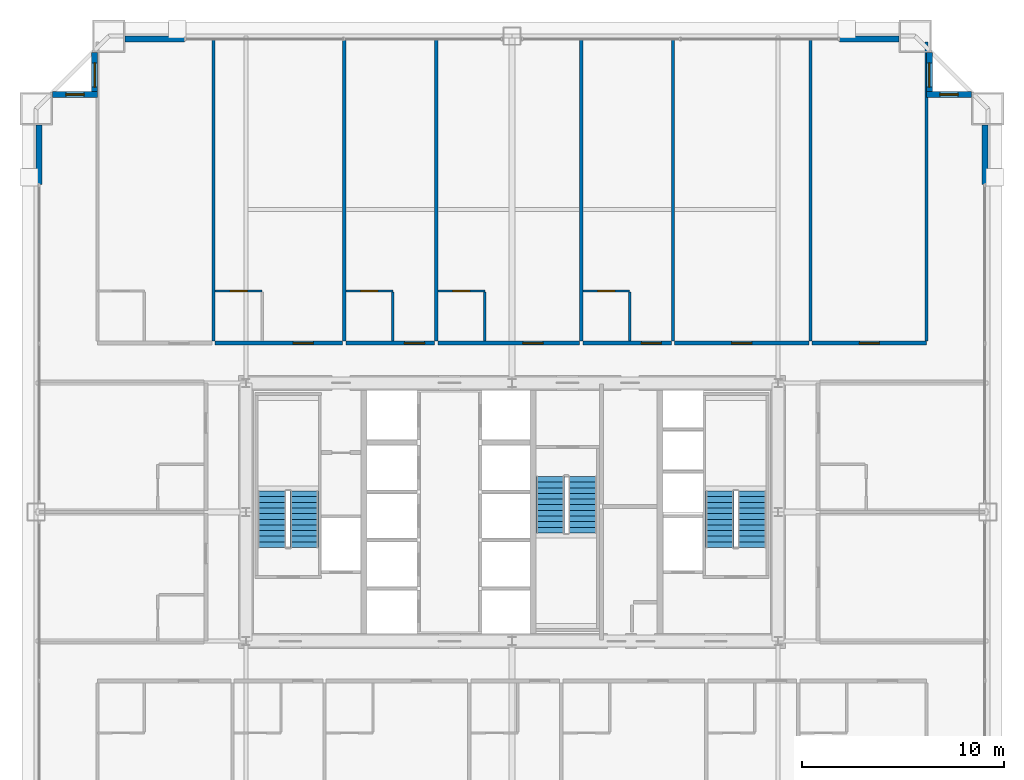
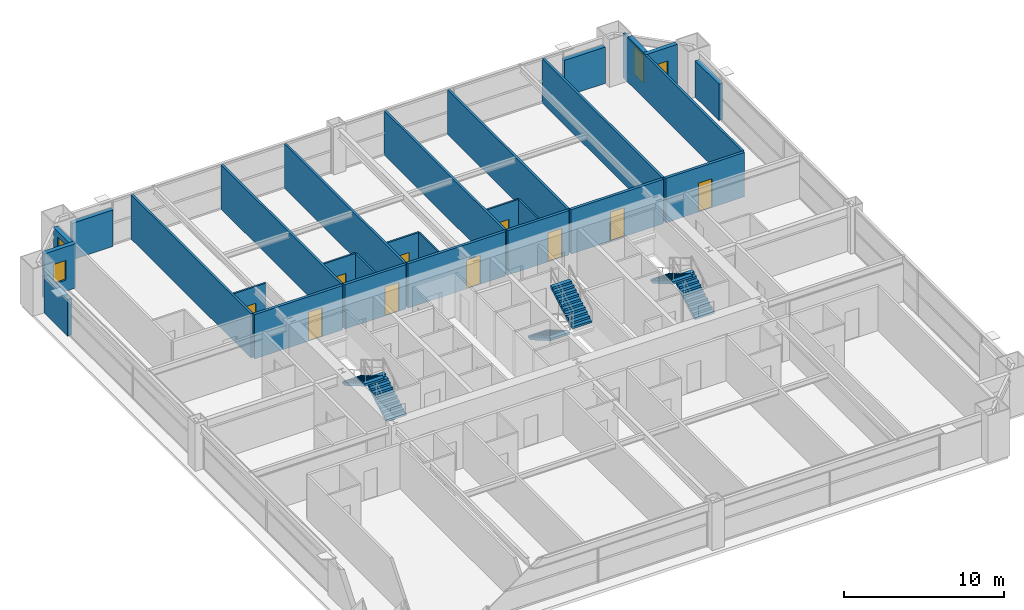
# One storey, part 37 of 38: 28 walls, 10 doors, 6 stair flights, 4 windows, 14 openings, 3 elements without a shape of their own.
"""IFC4 building model written with IfcOpenShell, lengths in metres."""

from ifc_helpers import new_model, si_unit, direction, frame, frame_2d, origin, place, context, subcontext, project, spatial, polyline, rectangle, outline, extrude, source, transform, mapped, material, layer, layer_set, type_object, element, fill, aggregate, save


model = new_model("IFC4")

# Units and contexts
model_context = context("Model", 3, precision=1e-05, world=origin(), true_north=direction((0.0, 1.0)))
body_context = subcontext(model_context, "Body", "Model", "MODEL_VIEW")
ifc_project = project(units=[si_unit("LENGTHUNIT", "METRE"), si_unit("AREAUNIT", "SQUARE_METRE"), si_unit("VOLUMEUNIT", "CUBIC_METRE"), si_unit("PLANEANGLEUNIT", "RADIAN"), si_unit("MASSUNIT", "GRAM", prefix="KILO"), si_unit("THERMODYNAMICTEMPERATUREUNIT", "KELVIN"), si_unit("POWERUNIT", "WATT")], contexts=[model_context])

# Site, building, storey
site_placement = place(None, origin())
site = spatial("IfcSite", under=ifc_project, at=site_placement, CompositionType="ELEMENT")
building_placement = place(site_placement, origin())
building = spatial("IfcBuilding", under=site, at=building_placement, Name="Yuzanri Waterfront Tower", CompositionType="ELEMENT")
storey_placement = place(building_placement, frame((0.0, 0.0, 90.199951171875)))
storey = spatial("IfcBuildingStorey", under=building, at=storey_placement, Name="L23", CompositionType="ELEMENT", Elevation=90.199951171875)

# Wall, opening, door
ifc_material_1 = material(Name="Moisture-Resistant Gypsum Stud Wall", Category="gypsum")
ifc_layer_1 = layer(ifc_material_1, 0.1201171875)
ifc_layer_set_1 = layer_set([ifc_layer_1], Name="Moisture-Resistant Gypsum Stud Wall")
wall_type_1 = type_object("IfcWallType", Name="Bathroom and Kitchen Wet Partition 120", PredefinedType="PARTITIONING", material=ifc_layer_set_1)
wall_1_placement = place(storey_placement, frame((22.277099609375, 36.760009765625, 0.0), z_axis=(0.0, 0.0, 1.0), x_axis=(1.0, 0.0, 0.0)))
wall_1 = element("IfcWall", 1, at=wall_1_placement, inside=storey, type_object=wall_type_1, Name="L23 Partition UW-L23-N2-BN", PredefinedType="PARTITIONING", context=body_context, shape_type="SweptSolid", body=[
    extrude(rectangle(XDim=2.329833984375, YDim=0.1201171875, at=frame_2d((1.1650390625, 0.0))), origin(), (0.0, 0.0, 1.0), 3.380126953125),
])
opening_1_placement = place(wall_1_placement, frame((0.739990234375, 0.0, 0.0)))
opening_1 = element("IfcOpeningElement", 2, at=opening_1_placement, cuts=wall_1, Name="Opening ID-0850", PredefinedType="OPENING", context=body_context, shape_type="SweptSolid", body=[
    extrude(rectangle(XDim=0.85009765625, YDim=2.10009765625, at=frame_2d((0.425048828125, 1.050048828125))), frame((0.0, 0.074951171875, 0.0), z_axis=(0.0, -1.0, 0.0), x_axis=(1.0, 0.0, 0.0)), (0.0, 0.0, 1.0), 0.14990234375),
])
ifc_material_2 = material(Name="Moisture-Resistant Lacquered Timber", Category="wood")
door_type_1 = type_object("IfcDoorType", Name="En-Suite Bathroom and Kitchen Swing Door 850x2100", OperationType="NOTDEFINED", PredefinedType="DOOR", material=ifc_material_2)
shared_shape_1 = source(origin(), body_context, "Body", "SweptSolid", [
    extrude(rectangle(XDim=0.85009765625, YDim=2.10009765625, at=frame_2d((0.425048828125, 1.050048828125))), frame((0.0, 0.02490234375, 0.0), z_axis=(0.0, -1.0, 0.0), x_axis=(1.0, 0.0, 0.0)), (0.0, 0.0, 1.0), 0.050048828125),
])
door_1_placement = place(opening_1_placement, origin())
door_1 = element("IfcDoor", 3, at=door_1_placement, inside=storey, type_object=door_type_1, Name="L23 Guest En-Suite Door", OperationType="SINGLE_SWING_LEFT", OverallHeight=2.10009765625, OverallWidth=0.85009765625, PredefinedType="DOOR", context=body_context, shape_type="MappedRepresentation", body=[
    mapped(shared_shape_1, transform((0.0, 0.0, 0.0), scale=1.0)),
])
fill(opening_1, door_1)

wall_2_placement = place(storey_placement, frame((28.761962890625, 36.760009765625, 0.0), z_axis=(0.0, 0.0, 1.0), x_axis=(1.0, 0.0, 0.0)))
wall_2 = element("IfcWall", 4, at=wall_2_placement, inside=storey, type_object=wall_type_1, Name="L23 Partition UW-L23-N3-BN", PredefinedType="PARTITIONING", context=body_context, shape_type="SweptSolid", body=[
    extrude(rectangle(XDim=2.328125, YDim=0.1201171875, at=frame_2d((1.1640625, 0.0))), origin(), (0.0, 0.0, 1.0), 3.380126953125),
])
opening_2_placement = place(wall_2_placement, frame((0.739013671875, 0.0, 0.0)))
opening_2 = element("IfcOpeningElement", 5, at=opening_2_placement, cuts=wall_2, Name="Opening ID-0850", PredefinedType="OPENING", context=body_context, shape_type="SweptSolid", body=[
    extrude(rectangle(XDim=0.85009765625, YDim=2.10009765625, at=frame_2d((0.425048828125, 1.050048828125))), frame((0.0, 0.074951171875, 0.0), z_axis=(0.0, -1.0, 0.0), x_axis=(1.0, 0.0, 0.0)), (0.0, 0.0, 1.0), 0.14990234375),
])
door_2_placement = place(opening_2_placement, origin())
door_2 = element("IfcDoor", 6, at=door_2_placement, inside=storey, type_object=door_type_1, Name="L23 Guest En-Suite Door", OperationType="SINGLE_SWING_LEFT", OverallHeight=2.10009765625, OverallWidth=0.85009765625, PredefinedType="DOOR", context=body_context, shape_type="MappedRepresentation", body=[
    mapped(shared_shape_1, transform((0.0, 0.0, 0.0), scale=1.0)),
])
fill(opening_2, door_2)

wall_3_placement = place(storey_placement, frame((33.320068359375, 36.760009765625, 0.0), z_axis=(0.0, 0.0, 1.0), x_axis=(1.0, 0.0, 0.0)))
wall_3 = element("IfcWall", 7, at=wall_3_placement, inside=storey, type_object=wall_type_1, Name="L23 Partition UW-L23-N4-BN", PredefinedType="PARTITIONING", context=body_context, shape_type="SweptSolid", body=[
    extrude(rectangle(XDim=2.329833984375, YDim=0.1201171875, at=frame_2d((1.1650390625, 0.0))), origin(), (0.0, 0.0, 1.0), 3.380126953125),
])
opening_3_placement = place(wall_3_placement, frame((0.739990234375, 0.0, 0.0)))
opening_3 = element("IfcOpeningElement", 8, at=opening_3_placement, cuts=wall_3, Name="Opening ID-0850", PredefinedType="OPENING", context=body_context, shape_type="SweptSolid", body=[
    extrude(rectangle(XDim=0.85009765625, YDim=2.10009765625, at=frame_2d((0.425048828125, 1.050048828125))), frame((0.0, 0.074951171875, 0.0), z_axis=(0.0, -1.0, 0.0), x_axis=(1.0, 0.0, 0.0)), (0.0, 0.0, 1.0), 0.14990234375),
])
door_3_placement = place(opening_3_placement, origin())
door_3 = element("IfcDoor", 9, at=door_3_placement, inside=storey, type_object=door_type_1, Name="L23 Guest En-Suite Door", OperationType="SINGLE_SWING_LEFT", OverallHeight=2.10009765625, OverallWidth=0.85009765625, PredefinedType="DOOR", context=body_context, shape_type="MappedRepresentation", body=[
    mapped(shared_shape_1, transform((0.0, 0.0, 0.0), scale=1.0)),
])
fill(opening_3, door_3)

wall_4_placement = place(storey_placement, frame((40.510986328125, 36.760009765625, 0.0), z_axis=(0.0, 0.0, 1.0), x_axis=(1.0, 0.0, 0.0)))
wall_4 = element("IfcWall", 10, at=wall_4_placement, inside=storey, type_object=wall_type_1, Name="L23 Partition UW-L23-N5-BN", PredefinedType="PARTITIONING", context=body_context, shape_type="SweptSolid", body=[
    extrude(rectangle(XDim=2.328125, YDim=0.1201171875, at=frame_2d((1.1640625, 0.0))), origin(), (0.0, 0.0, 1.0), 3.380126953125),
])
opening_4_placement = place(wall_4_placement, frame((0.739013671875, 0.0, 0.0)))
opening_4 = element("IfcOpeningElement", 11, at=opening_4_placement, cuts=wall_4, Name="Opening ID-0850", PredefinedType="OPENING", context=body_context, shape_type="SweptSolid", body=[
    extrude(rectangle(XDim=0.85009765625, YDim=2.10009765625, at=frame_2d((0.425048828125, 1.050048828125))), frame((0.0, 0.074951171875, 0.0), z_axis=(0.0, -1.0, 0.0), x_axis=(1.0, 0.0, 0.0)), (0.0, 0.0, 1.0), 0.14990234375),
])
door_4_placement = place(opening_4_placement, origin())
door_4 = element("IfcDoor", 12, at=door_4_placement, inside=storey, type_object=door_type_1, Name="L23 Guest En-Suite Door", OperationType="SINGLE_SWING_LEFT", OverallHeight=2.10009765625, OverallWidth=0.85009765625, PredefinedType="DOOR", context=body_context, shape_type="MappedRepresentation", body=[
    mapped(shared_shape_1, transform((0.0, 0.0, 0.0), scale=1.0)),
])
fill(opening_4, door_4)

# Wall, opening, window
ifc_material_3 = material(Name="Honed Chongqing Dark Basalt Stone", Category="masonry")
ifc_layer_2 = layer(ifc_material_3, 0.300048828125)
ifc_layer_set_2 = layer_set([ifc_layer_2], Name="Honed Chongqing Dark Basalt Stone")
wall_type_2 = type_object("IfcWallType", Name="Bronze Rainscreen Insulated Spandrel Portal Wall 300", PredefinedType="SOLIDWALL", material=ifc_layer_set_2)
wall_5_placement = place(storey_placement, frame((16.449951171875, 46.5, 0.0), z_axis=(0.0, 0.0, 1.0), x_axis=(-1.0, 0.0, 0.0)))
wall_5 = element("IfcWall", 13, at=wall_5_placement, inside=storey, type_object=wall_type_2, Name="L23 Notched Corner Masonry Wall NW-X", PredefinedType="SOLIDWALL", context=body_context, shape_type="SweptSolid", body=[
    extrude(rectangle(XDim=2.25, YDim=0.300048828125, at=frame_2d((1.125, 0.0))), origin(), (0.0, 0.0, 1.0), 3.380126953125),
])
opening_5_placement = place(wall_5_placement, frame((0.675048828125, 0.0, 0.85009765625)))
opening_5 = element("IfcOpeningElement", 14, at=opening_5_placement, cuts=wall_5, Name="Opening WN-05", PredefinedType="OPENING", context=body_context, shape_type="SweptSolid", body=[
    extrude(rectangle(XDim=0.89990234375, YDim=1.5, at=frame_2d((0.449951171875, 0.75))), frame((0.0, 0.1650390625, 0.0), z_axis=(0.0, -1.0, 0.0), x_axis=(1.0, 0.0, 0.0)), (0.0, 0.0, 1.0), 0.329833984375),
])
ifc_material_4 = material(Name="Double-Silver Low-E Insulated Glass", Category="glass")
window_type_1 = type_object("IfcWindowType", Name="Anodized Bronze Service and Stairwell Smoke-Vent Window 900x1500", PartitioningType="SINGLE_PANEL", PredefinedType="WINDOW", material=ifc_material_4)
shared_shape_2 = source(origin(), body_context, "Body", "SweptSolid", [
    extrude(rectangle(XDim=0.89990234375, YDim=1.5, at=frame_2d((0.449951171875, 0.75))), frame((0.0, 0.030029296875, 0.0), z_axis=(0.0, -1.0, 0.0), x_axis=(1.0, 0.0, 0.0)), (0.0, 0.0, 1.0), 0.06005859375),
])
window_1_placement = place(opening_5_placement, origin())
window_1 = element("IfcWindow", 15, at=window_1_placement, inside=storey, type_object=window_type_1, Name="L23 Notched Corner Window NW-X", OverallHeight=1.5, OverallWidth=0.89990234375, PartitioningType="SINGLE_PANEL", PredefinedType="WINDOW", context=body_context, shape_type="MappedRepresentation", body=[
    mapped(shared_shape_2, transform((0.0, 0.0, 0.0), scale=1.0)),
])
fill(opening_5, window_1)

wall_6_placement = place(storey_placement, frame((16.300048828125, 48.60009765625, 0.0), z_axis=(0.0, 0.0, 1.0), x_axis=(0.0, -1.0, 0.0)))
wall_6 = element("IfcWall", 16, at=wall_6_placement, inside=storey, type_object=wall_type_2, Name="L23 Notched Corner Masonry Wall NW-Y", PredefinedType="SOLIDWALL", context=body_context, shape_type="SweptSolid", body=[
    extrude(rectangle(XDim=2.25, YDim=0.300048828125, at=frame_2d((1.125, 0.0))), origin(), (0.0, 0.0, 1.0), 3.380126953125),
])
opening_6_placement = place(wall_6_placement, frame((0.52490234375, 0.0, 0.85009765625)))
opening_6 = element("IfcOpeningElement", 17, at=opening_6_placement, cuts=wall_6, Name="Opening WN-02", PredefinedType="OPENING", context=body_context, shape_type="SweptSolid", body=[
    extrude(rectangle(XDim=1.199951171875, YDim=2.10009765625, at=frame_2d((0.60009765625, 1.050048828125))), frame((0.0, 0.1650390625, 0.0), z_axis=(0.0, -1.0, 0.0), x_axis=(1.0, 0.0, 0.0)), (0.0, 0.0, 1.0), 0.329833984375),
])
ifc_material_5 = material(Name="Double-Silver Low-E Insulated Glass", Category="glass")
window_type_2 = type_object("IfcWindowType", Name="Anodized Bronze Notched Corner Deep-Set Slot Window 1200x2100", PartitioningType="SINGLE_PANEL", PredefinedType="WINDOW", material=ifc_material_5)
shared_shape_3 = source(origin(), body_context, "Body", "SweptSolid", [
    extrude(rectangle(XDim=1.199951171875, YDim=2.10009765625, at=frame_2d((0.60009765625, 1.050048828125))), frame((0.0, 0.030029296875, 0.0), z_axis=(0.0, -1.0, 0.0), x_axis=(1.0, 0.0, 0.0)), (0.0, 0.0, 1.0), 0.06005859375),
])
window_2_placement = place(opening_6_placement, origin())
window_2 = element("IfcWindow", 18, at=window_2_placement, inside=storey, type_object=window_type_2, Name="L23 Notched Corner Window NW-Y", OverallHeight=2.10009765625, OverallWidth=1.199951171875, PartitioningType="SINGLE_PANEL", PredefinedType="WINDOW", context=body_context, shape_type="MappedRepresentation", body=[
    mapped(shared_shape_3, transform((0.0, 0.0, 0.0), scale=1.0)),
])
fill(opening_6, window_2)

wall_7_placement = place(storey_placement, frame((59.800048828125, 46.5, 0.0), z_axis=(0.0, 0.0, 1.0), x_axis=(-1.0, 0.0, 0.0)))
wall_7 = element("IfcWall", 19, at=wall_7_placement, inside=storey, type_object=wall_type_2, Name="L23 Notched Corner Masonry Wall NE-X", PredefinedType="SOLIDWALL", context=body_context, shape_type="SweptSolid", body=[
    extrude(rectangle(XDim=2.25, YDim=0.300048828125, at=frame_2d((1.125, 0.0))), origin(), (0.0, 0.0, 1.0), 3.380126953125),
])
opening_7_placement = place(wall_7_placement, frame((0.675048828125, 0.0, 0.85009765625)))
opening_7 = element("IfcOpeningElement", 20, at=opening_7_placement, cuts=wall_7, Name="Opening WN-05", PredefinedType="OPENING", context=body_context, shape_type="SweptSolid", body=[
    extrude(rectangle(XDim=0.89990234375, YDim=1.5, at=frame_2d((0.449951171875, 0.75))), frame((0.0, 0.1650390625, 0.0), z_axis=(0.0, -1.0, 0.0), x_axis=(1.0, 0.0, 0.0)), (0.0, 0.0, 1.0), 0.329833984375),
])
window_3_placement = place(opening_7_placement, origin())
window_3 = element("IfcWindow", 21, at=window_3_placement, inside=storey, type_object=window_type_1, Name="L23 Notched Corner Window NE-X", OverallHeight=1.5, OverallWidth=0.89990234375, PartitioningType="SINGLE_PANEL", PredefinedType="WINDOW", context=body_context, shape_type="MappedRepresentation", body=[
    mapped(shared_shape_2, transform((0.0, 0.0, 0.0), scale=1.0)),
])
fill(opening_7, window_3)

wall_8_placement = place(storey_placement, frame((57.699951171875, 46.35009765625, 0.0), z_axis=(0.0, 0.0, 1.0), x_axis=(0.0, 1.0, 0.0)))
wall_8 = element("IfcWall", 22, at=wall_8_placement, inside=storey, type_object=wall_type_2, Name="L23 Notched Corner Masonry Wall NE-Y", PredefinedType="SOLIDWALL", context=body_context, shape_type="SweptSolid", body=[
    extrude(rectangle(XDim=2.25, YDim=0.300048828125, at=frame_2d((1.125, 0.0))), origin(), (0.0, 0.0, 1.0), 3.380126953125),
])
opening_8_placement = place(wall_8_placement, frame((0.52490234375, 0.0, 0.85009765625)))
opening_8 = element("IfcOpeningElement", 23, at=opening_8_placement, cuts=wall_8, Name="Opening WN-02", PredefinedType="OPENING", context=body_context, shape_type="SweptSolid", body=[
    extrude(rectangle(XDim=1.199951171875, YDim=2.10009765625, at=frame_2d((0.60009765625, 1.050048828125))), frame((0.0, 0.1650390625, 0.0), z_axis=(0.0, -1.0, 0.0), x_axis=(1.0, 0.0, 0.0)), (0.0, 0.0, 1.0), 0.329833984375),
])
window_4_placement = place(opening_8_placement, origin())
window_4 = element("IfcWindow", 24, at=window_4_placement, inside=storey, type_object=window_type_2, Name="L23 Notched Corner Window NE-Y", OverallHeight=2.10009765625, OverallWidth=1.199951171875, PartitioningType="SINGLE_PANEL", PredefinedType="WINDOW", context=body_context, shape_type="MappedRepresentation", body=[
    mapped(shared_shape_3, transform((0.0, 0.0, 0.0), scale=1.0)),
])
fill(opening_8, window_4)

# Wall, opening, door
ifc_material_6 = material(Name="Autoclaved Aerated Concrete Blockwork", Category="masonry")
ifc_layer_3 = layer(ifc_material_6, 0.199951171875)
ifc_layer_set_3 = layer_set([ifc_layer_3], Name="Autoclaved Aerated Concrete Blockwork")
wall_type_3 = type_object("IfcWallType", Name="Corridor and Unit Party Fire Wall 200", PredefinedType="PARTITIONING", material=ifc_layer_set_3)
wall_9_placement = place(storey_placement, frame((22.277099609375, 34.179931640625, 0.0), z_axis=(0.0, 0.0, 1.0), x_axis=(1.0, 0.0, 0.0)))
wall_9 = element("IfcWall", 25, at=wall_9_placement, inside=storey, type_object=wall_type_3, Name="L23 Partition UW-L23-N2-CS", PredefinedType="PARTITIONING", context=body_context, shape_type="SweptSolid", body=[
    extrude(rectangle(XDim=6.324951171875, YDim=0.199951171875, at=frame_2d((3.16259765625, 0.0))), origin(), (0.0, 0.0, 1.0), 3.380126953125),
])
opening_9_placement = place(wall_9_placement, frame((3.867919921875, 0.0, 0.0)))
opening_9 = element("IfcOpeningElement", 26, at=opening_9_placement, cuts=wall_9, Name="Opening FD-1000", PredefinedType="OPENING", context=body_context, shape_type="SweptSolid", body=[
    extrude(rectangle(XDim=1.0, YDim=2.199951171875, at=frame_2d((0.5, 1.10009765625))), frame((0.0, 0.11474609375, 0.0), z_axis=(0.0, -1.0, 0.0), x_axis=(1.0, 0.0, 0.0)), (0.0, 0.0, 1.0), 0.229736328125),
])
ifc_material_7 = material(Name="Engineered Oak Fire-Rated Timber", Category="wood")
door_type_2 = type_object("IfcDoorType", Name="Guestroom and Apartment Entrance Fire Door 1000x2200", OperationType="NOTDEFINED", PredefinedType="DOOR", material=ifc_material_7)
shared_shape_4 = source(origin(), body_context, "Body", "SweptSolid", [
    extrude(rectangle(XDim=1.0, YDim=2.199951171875, at=frame_2d((0.5, 1.10009765625))), frame((0.0, 0.02490234375, 0.0), z_axis=(0.0, -1.0, 0.0), x_axis=(1.0, 0.0, 0.0)), (0.0, 0.0, 1.0), 0.050048828125),
])
door_5_placement = place(opening_9_placement, origin())
door_5 = element("IfcDoor", 27, at=door_5_placement, inside=storey, type_object=door_type_2, Name="L23 Deluxe Queen Junior Suite Entrance Door", OperationType="SINGLE_SWING_RIGHT", OverallHeight=2.199951171875, OverallWidth=1.0, PredefinedType="DOOR", context=body_context, shape_type="MappedRepresentation", body=[
    mapped(shared_shape_4, transform((0.0, 0.0, 0.0), scale=1.0)),
])
fill(opening_9, door_5)

wall_10_placement = place(storey_placement, frame((28.761962890625, 34.179931640625, 0.0), z_axis=(0.0, 0.0, 1.0), x_axis=(1.0, 0.0, 0.0)))
wall_10 = element("IfcWall", 28, at=wall_10_placement, inside=storey, type_object=wall_type_3, Name="L23 Partition UW-L23-N3-CS", PredefinedType="PARTITIONING", context=body_context, shape_type="SweptSolid", body=[
    extrude(rectangle(XDim=4.39794921875, YDim=0.199951171875, at=frame_2d((2.198974609375, 0.0))), origin(), (0.0, 0.0, 1.0), 3.380126953125),
])
opening_10_placement = place(wall_10_placement, frame((2.903076171875, 0.0, 0.0)))
opening_10 = element("IfcOpeningElement", 29, at=opening_10_placement, cuts=wall_10, Name="Opening FD-1000", PredefinedType="OPENING", context=body_context, shape_type="SweptSolid", body=[
    extrude(rectangle(XDim=1.0, YDim=2.199951171875, at=frame_2d((0.5, 1.10009765625))), frame((0.0, 0.11474609375, 0.0), z_axis=(0.0, -1.0, 0.0), x_axis=(1.0, 0.0, 0.0)), (0.0, 0.0, 1.0), 0.229736328125),
])
door_6_placement = place(opening_10_placement, origin())
door_6 = element("IfcDoor", 30, at=door_6_placement, inside=storey, type_object=door_type_2, Name="L23 Deluxe Queen Guest Room Entrance Door", OperationType="SINGLE_SWING_RIGHT", OverallHeight=2.199951171875, OverallWidth=1.0, PredefinedType="DOOR", context=body_context, shape_type="MappedRepresentation", body=[
    mapped(shared_shape_4, transform((0.0, 0.0, 0.0), scale=1.0)),
])
fill(opening_10, door_6)

wall_11_placement = place(storey_placement, frame((33.320068359375, 34.179931640625, 0.0), z_axis=(0.0, 0.0, 1.0), x_axis=(1.0, 0.0, 0.0)))
wall_11 = element("IfcWall", 31, at=wall_11_placement, inside=storey, type_object=wall_type_3, Name="L23 Partition UW-L23-N4-CS", PredefinedType="PARTITIONING", context=body_context, shape_type="SweptSolid", body=[
    extrude(rectangle(XDim=7.031005859375, YDim=0.199951171875, at=frame_2d((3.515625, 0.0))), origin(), (0.0, 0.0, 1.0), 3.380126953125),
])
opening_11_placement = place(wall_11_placement, frame((4.219970703125, 0.0, 0.0)))
opening_11 = element("IfcOpeningElement", 32, at=opening_11_placement, cuts=wall_11, Name="Opening FD-1000", PredefinedType="OPENING", context=body_context, shape_type="SweptSolid", body=[
    extrude(rectangle(XDim=1.0, YDim=2.199951171875, at=frame_2d((0.5, 1.10009765625))), frame((0.0, 0.11474609375, 0.0), z_axis=(0.0, -1.0, 0.0), x_axis=(1.0, 0.0, 0.0)), (0.0, 0.0, 1.0), 0.229736328125),
])
door_7_placement = place(opening_11_placement, origin())
door_7 = element("IfcDoor", 33, at=door_7_placement, inside=storey, type_object=door_type_2, Name="L23 Deluxe Queen Junior Suite Entrance Door", OperationType="SINGLE_SWING_RIGHT", OverallHeight=2.199951171875, OverallWidth=1.0, PredefinedType="DOOR", context=body_context, shape_type="MappedRepresentation", body=[
    mapped(shared_shape_4, transform((0.0, 0.0, 0.0), scale=1.0)),
])
fill(opening_11, door_7)

wall_12_placement = place(storey_placement, frame((40.510986328125, 34.179931640625, 0.0), z_axis=(0.0, 0.0, 1.0), x_axis=(1.0, 0.0, 0.0)))
wall_12 = element("IfcWall", 34, at=wall_12_placement, inside=storey, type_object=wall_type_3, Name="L23 Partition UW-L23-N5-CS", PredefinedType="PARTITIONING", context=body_context, shape_type="SweptSolid", body=[
    extrude(rectangle(XDim=4.39794921875, YDim=0.199951171875, at=frame_2d((2.198974609375, 0.0))), origin(), (0.0, 0.0, 1.0), 3.380126953125),
])
opening_12_placement = place(wall_12_placement, frame((2.903076171875, 0.0, 0.0)))
opening_12 = element("IfcOpeningElement", 35, at=opening_12_placement, cuts=wall_12, Name="Opening FD-1000", PredefinedType="OPENING", context=body_context, shape_type="SweptSolid", body=[
    extrude(rectangle(XDim=1.0, YDim=2.199951171875, at=frame_2d((0.5, 1.10009765625))), frame((0.0, 0.11474609375, 0.0), z_axis=(0.0, -1.0, 0.0), x_axis=(1.0, 0.0, 0.0)), (0.0, 0.0, 1.0), 0.229736328125),
])
door_8_placement = place(opening_12_placement, origin())
door_8 = element("IfcDoor", 36, at=door_8_placement, inside=storey, type_object=door_type_2, Name="L23 Deluxe Queen Guest Room Entrance Door", OperationType="SINGLE_SWING_RIGHT", OverallHeight=2.199951171875, OverallWidth=1.0, PredefinedType="DOOR", context=body_context, shape_type="MappedRepresentation", body=[
    mapped(shared_shape_4, transform((0.0, 0.0, 0.0), scale=1.0)),
])
fill(opening_12, door_8)

wall_13_placement = place(storey_placement, frame((45.069091796875, 34.179931640625, 0.0), z_axis=(0.0, 0.0, 1.0), x_axis=(1.0, 0.0, 0.0)))
wall_13 = element("IfcWall", 37, at=wall_13_placement, inside=storey, type_object=wall_type_3, Name="L23 Partition UW-L23-N6-CS", PredefinedType="PARTITIONING", context=body_context, shape_type="SweptSolid", body=[
    extrude(rectangle(XDim=6.65380859375, YDim=0.199951171875, at=frame_2d((3.326904296875, 0.0))), origin(), (0.0, 0.0, 1.0), 3.380126953125),
])
opening_13_placement = place(wall_13_placement, frame((2.826904296875, 0.0, 0.0)))
opening_13 = element("IfcOpeningElement", 38, at=opening_13_placement, cuts=wall_13, Name="Opening FD-1000", PredefinedType="OPENING", context=body_context, shape_type="SweptSolid", body=[
    extrude(rectangle(XDim=1.0, YDim=2.199951171875, at=frame_2d((0.5, 1.10009765625))), frame((0.0, 0.11474609375, 0.0), z_axis=(0.0, -1.0, 0.0), x_axis=(1.0, 0.0, 0.0)), (0.0, 0.0, 1.0), 0.229736328125),
])
door_9_placement = place(opening_13_placement, origin())
door_9 = element("IfcDoor", 39, at=door_9_placement, inside=storey, type_object=door_type_2, Name="L23 Business Office 1 Entrance Door", OperationType="SINGLE_SWING_RIGHT", OverallHeight=2.199951171875, OverallWidth=1.0, PredefinedType="DOOR", context=body_context, shape_type="MappedRepresentation", body=[
    mapped(shared_shape_4, transform((0.0, 0.0, 0.0), scale=1.0)),
])
fill(opening_13, door_9)

wall_14_placement = place(storey_placement, frame((51.883056640625, 34.179931640625, 0.0), z_axis=(0.0, 0.0, 1.0), x_axis=(1.0, 0.0, 0.0)))
wall_14 = element("IfcWall", 40, at=wall_14_placement, inside=storey, type_object=wall_type_3, Name="L23 Partition UW-L23-N7-CS", PredefinedType="PARTITIONING", context=body_context, shape_type="SweptSolid", body=[
    extrude(rectangle(XDim=5.677001953125, YDim=0.199951171875, at=frame_2d((2.83837890625, 0.0))), origin(), (0.0, 0.0, 1.0), 3.380126953125),
])
opening_14_placement = place(wall_14_placement, frame((2.339111328125, 0.0, 0.0)))
opening_14 = element("IfcOpeningElement", 41, at=opening_14_placement, cuts=wall_14, Name="Opening FD-1000", PredefinedType="OPENING", context=body_context, shape_type="SweptSolid", body=[
    extrude(rectangle(XDim=1.0, YDim=2.199951171875, at=frame_2d((0.5, 1.10009765625))), frame((0.0, 0.11474609375, 0.0), z_axis=(0.0, -1.0, 0.0), x_axis=(1.0, 0.0, 0.0)), (0.0, 0.0, 1.0), 0.229736328125),
])
door_10_placement = place(opening_14_placement, origin())
door_10 = element("IfcDoor", 42, at=door_10_placement, inside=storey, type_object=door_type_2, Name="L23 Business Office 2 Entrance Door", OperationType="SINGLE_SWING_LEFT", OverallHeight=2.199951171875, OverallWidth=1.0, PredefinedType="DOOR", context=body_context, shape_type="MappedRepresentation", body=[
    mapped(shared_shape_4, transform((0.0, 0.0, 0.0), scale=1.0)),
])
fill(opening_14, door_10)

# Walls
shared_shape_5 = source(origin(), body_context, "Body", "SweptSolid", [
    extrude(rectangle(XDim=2.949951171875, YDim=0.300048828125, at=frame_2d((1.47509765625, 0.0))), origin(), (0.0, 0.0, 1.0), 2.775146484375),
])
for number, where, z_axis, x_axis, name in (
    (43, (17.800048828125, 49.25, 0.0), (0.0, 0.0, 1.0), (1.0, 0.0, 0.0), "L23 N Left Braced Masonry Shoulder"),
    (44, (53.25, 49.25, 0.0), (0.0, 0.0, 1.0), (1.0, 0.0, 0.0), "L23 N Right Braced Masonry Shoulder"),
    (45, (13.550048828125, 42.050048828125, 0.0), (0.0, 0.0, 1.0), (0.0, 1.0, 0.0), "L23 W Right Braced Masonry Shoulder"),
    (46, (60.449951171875, 42.050048828125, 0.0), (0.0, 0.0, 1.0), (0.0, 1.0, 0.0), "L23 E Right Braced Masonry Shoulder"),
):
    element("IfcWall", number, at=place(storey_placement, frame(where, z_axis=z_axis, x_axis=x_axis)), inside=storey, type_object=wall_type_2, Name=name, PredefinedType="SOLIDWALL", context=body_context, shape_type="MappedRepresentation", body=[
        mapped(shared_shape_5, transform((0.0, 0.0, 0.0), scale=1.0)),
    ])
shared_shape_6 = source(origin(), body_context, "Body", "SweptSolid", [
    extrude(rectangle(XDim=2.419921875, YDim=0.1201171875, at=frame_2d((1.2099609375, 0.0))), origin(), (0.0, 0.0, 1.0), 3.380126953125),
])
for number, where, z_axis, x_axis, name in (
    (47, (31.090087890625, 34.280029296875, 0.0), (0.0, 0.0, 1.0), (0.0, 1.0, 0.0), "L23-N3 En-Suite Side Wall"),
    (48, (35.64990234375, 34.280029296875, 0.0), (0.0, 0.0, 1.0), (0.0, 1.0, 0.0), "L23-N4 En-Suite Side Wall"),
    (49, (42.839111328125, 34.280029296875, 0.0), (0.0, 0.0, 1.0), (0.0, 1.0, 0.0), "L23-N5 En-Suite Side Wall"),
):
    element("IfcWall", number, at=place(storey_placement, frame(where, z_axis=z_axis, x_axis=x_axis)), inside=storey, type_object=wall_type_1, Name=name, PredefinedType="PARTITIONING", context=body_context, shape_type="MappedRepresentation", body=[
        mapped(shared_shape_6, transform((0.0, 0.0, 0.0), scale=1.0)),
    ])
ifc_material_8 = material(Name="Gypsum Fireboard Acoustic Stud Wall", Category="gypsum")
ifc_layer_4 = layer(ifc_material_8, 0.159912109375)
ifc_layer_set_4 = layer_set([ifc_layer_4], Name="Gypsum Fireboard Acoustic Stud Wall")
wall_type_4 = type_object("IfcWallType", Name="Acoustic Suite Demising Partition 160", PredefinedType="PARTITIONING", material=ifc_layer_set_4)
shared_shape_7 = source(origin(), body_context, "Body", "SweptSolid", [
    extrude(rectangle(XDim=14.969970703125, YDim=0.159912109375, at=frame_2d((7.48486328125, 0.0))), origin(), (0.0, 0.0, 1.0), 3.380126953125),
])
for number, where, z_axis, x_axis, name in (
    (50, (22.197021484375, 34.280029296875, 0.0), (0.0, 0.0, 1.0), (0.0, 1.0, 0.0), "L23-N1 Party Wall"),
    (51, (28.681884765625, 34.280029296875, 0.0), (0.0, 0.0, 1.0), (0.0, 1.0, 0.0), "L23-N2 Party Wall"),
    (52, (33.239990234375, 34.280029296875, 0.0), (0.0, 0.0, 1.0), (0.0, 1.0, 0.0), "L23-N3 Party Wall"),
    (53, (40.430908203125, 34.280029296875, 0.0), (0.0, 0.0, 1.0), (0.0, 1.0, 0.0), "L23-N4 Party Wall"),
    (54, (44.989013671875, 34.280029296875, 0.0), (0.0, 0.0, 1.0), (0.0, 1.0, 0.0), "L23-N5 Party Wall"),
    (55, (51.802978515625, 34.280029296875, 0.0), (0.0, 0.0, 1.0), (0.0, 1.0, 0.0), "L23-N6 Party Wall"),
):
    element("IfcWall", number, at=place(storey_placement, frame(where, z_axis=z_axis, x_axis=x_axis)), inside=storey, type_object=wall_type_4, Name=name, PredefinedType="PARTITIONING", context=body_context, shape_type="MappedRepresentation", body=[
        mapped(shared_shape_7, transform((0.0, 0.0, 0.0), scale=1.0)),
    ])
shared_shape_8 = source(origin(), body_context, "Body", "SweptSolid", [
    extrude(rectangle(XDim=14.820068359375, YDim=0.159912109375, at=frame_2d((7.41015625, 0.0))), origin(), (0.0, 0.0, 1.0), 3.380126953125),
])
wall_15_placement = place(storey_placement, frame((57.550048828125, 34.280029296875, 0.0), z_axis=(0.0, 0.0, 1.0), x_axis=(0.0, 1.0, 0.0)))
element("IfcWall", 56, at=wall_15_placement, inside=storey, type_object=wall_type_4, Name="L23 North Band East End Wall", PredefinedType="PARTITIONING", context=body_context, shape_type="MappedRepresentation", body=[
    mapped(shared_shape_8, transform((0.0, 0.0, 0.0), scale=1.0)),
])

# Stair, stair flights
ifc_material_9 = material(Name="Concrete C40", Category="concrete")
stair_type = type_object("IfcStairType", Name="Concrete C40 Core Dogleg Exit Stair", PredefinedType="HALF_TURN_STAIR", material=ifc_material_9)
stair_1_placement = place(storey_placement, origin())
stair_1 = element("IfcStair", 57, at=stair_1_placement, inside=storey, type_object=stair_type, Name="L23 Smoke-Proof Core Stair ST-01", PredefinedType="HALF_TURN_STAIR")
ifc_material_10 = material(Name="Concrete C40", Category="concrete")
stair_flight_type = type_object("IfcStairFlightType", Name="Concrete C40 Precast Stair Flight 1380", PredefinedType="STRAIGHT", material=ifc_material_10)
shared_shape_9 = source(origin(), body_context, "Body", "SweptSolid", [
    extrude(outline(polyline([(0.0, 0.0), (0.0, 0.16357421875), (0.280029296875, 0.16357421875), (0.280029296875, 0.327392578125), (0.56005859375, 0.327392578125), (0.56005859375, 0.490966796875), (0.840087890625, 0.490966796875), (0.840087890625, 0.654541015625), (1.1201171875, 0.654541015625), (1.1201171875, 0.818115234375), (1.39990234375, 0.818115234375), (1.39990234375, 0.98193359375), (1.679931640625, 0.98193359375), (1.679931640625, 1.1455078125), (1.9599609375, 1.1455078125), (1.9599609375, 1.30908203125), (2.239990234375, 1.30908203125), (2.239990234375, 1.47265625), (2.52001953125, 1.47265625), (2.52001953125, 1.636474609375), (2.800048828125, 1.636474609375), (2.800048828125, 1.800048828125), (2.800048828125, 1.462646484375), (0.297119140625, 0.0), (0.0, 0.0)])), frame((0.0, 0.699951171875, 0.0), z_axis=(0.0, -1.0, 0.0), x_axis=(1.0, 0.0, 0.0)), (0.0, 0.0, 1.0), 1.39990234375),
])
stair_flight_1_placement = place(storey_placement, frame((26.699951171875, 24.0400390625, 0.0), z_axis=(0.0, 0.0, 1.0), x_axis=(0.0, 1.0, 0.0)))
stair_flight_1 = element("IfcStairFlight", 58, at=stair_flight_1_placement, type_object=stair_flight_type, Name="ST-01 flight 1", NumberOfRisers=11, NumberOfTreads=10, PredefinedType="STRAIGHT", RiserHeight=0.163636364, TreadLength=0.28, context=body_context, shape_type="MappedRepresentation", body=[
    mapped(shared_shape_9, transform((0.0, 0.0, 0.0), scale=1.0)),
])
stair_flight_2_placement = place(storey_placement, frame((25.10009765625, 26.840087890625, 1.800048828125), z_axis=(0.0, 0.0, 1.0), x_axis=(0.0, -1.0, 0.0)))
stair_flight_2 = element("IfcStairFlight", 59, at=stair_flight_2_placement, type_object=stair_flight_type, Name="ST-01 flight 2", NumberOfRisers=11, NumberOfTreads=10, PredefinedType="STRAIGHT", RiserHeight=0.163636364, TreadLength=0.28, context=body_context, shape_type="MappedRepresentation", body=[
    mapped(shared_shape_9, transform((0.0, 0.0, 0.0), scale=1.0)),
])
aggregate(stair_1, [stair_flight_1, stair_flight_2])

stair_2_placement = place(storey_placement, origin())
stair_2 = element("IfcStair", 60, at=stair_2_placement, inside=storey, type_object=stair_type, Name="L23 Smoke-Proof Core Stair ST-02", PredefinedType="HALF_TURN_STAIR")
stair_flight_3_placement = place(storey_placement, frame((48.89990234375, 24.0400390625, 0.0), z_axis=(0.0, 0.0, 1.0), x_axis=(0.0, 1.0, 0.0)))
stair_flight_3 = element("IfcStairFlight", 61, at=stair_flight_3_placement, type_object=stair_flight_type, Name="ST-02 flight 1", NumberOfRisers=11, NumberOfTreads=10, PredefinedType="STRAIGHT", RiserHeight=0.163636364, TreadLength=0.28, context=body_context, shape_type="MappedRepresentation", body=[
    mapped(shared_shape_9, transform((0.0, 0.0, 0.0), scale=1.0)),
])
stair_flight_4_placement = place(storey_placement, frame((47.300048828125, 26.840087890625, 1.800048828125), z_axis=(0.0, 0.0, 1.0), x_axis=(0.0, -1.0, 0.0)))
stair_flight_4 = element("IfcStairFlight", 62, at=stair_flight_4_placement, type_object=stair_flight_type, Name="ST-02 flight 2", NumberOfRisers=11, NumberOfTreads=10, PredefinedType="STRAIGHT", RiserHeight=0.163636364, TreadLength=0.28, context=body_context, shape_type="MappedRepresentation", body=[
    mapped(shared_shape_9, transform((0.0, 0.0, 0.0), scale=1.0)),
])
aggregate(stair_2, [stair_flight_3, stair_flight_4])

stair_3_placement = place(storey_placement, origin())
stair_3 = element("IfcStair", 63, at=stair_3_placement, inside=storey, type_object=stair_type, Name="L23 Smoke-Proof Core Stair ST-03", PredefinedType="HALF_TURN_STAIR")
stair_flight_5_placement = place(storey_placement, frame((38.89990234375, 27.56005859375, 0.0), z_axis=(0.0, 0.0, 1.0), x_axis=(0.0, -1.0, 0.0)))
stair_flight_5 = element("IfcStairFlight", 64, at=stair_flight_5_placement, type_object=stair_flight_type, Name="ST-03 flight 1", NumberOfRisers=11, NumberOfTreads=10, PredefinedType="STRAIGHT", RiserHeight=0.163636364, TreadLength=0.28, context=body_context, shape_type="MappedRepresentation", body=[
    mapped(shared_shape_9, transform((0.0, 0.0, 0.0), scale=1.0)),
])
stair_flight_6_placement = place(storey_placement, frame((40.5, 24.760009765625, 1.800048828125), z_axis=(0.0, 0.0, 1.0), x_axis=(0.0, 1.0, 0.0)))
stair_flight_6 = element("IfcStairFlight", 65, at=stair_flight_6_placement, type_object=stair_flight_type, Name="ST-03 flight 2", NumberOfRisers=11, NumberOfTreads=10, PredefinedType="STRAIGHT", RiserHeight=0.163636364, TreadLength=0.28, context=body_context, shape_type="MappedRepresentation", body=[
    mapped(shared_shape_9, transform((0.0, 0.0, 0.0), scale=1.0)),
])
aggregate(stair_3, [stair_flight_5, stair_flight_6])

save(model, "model.ifc")
